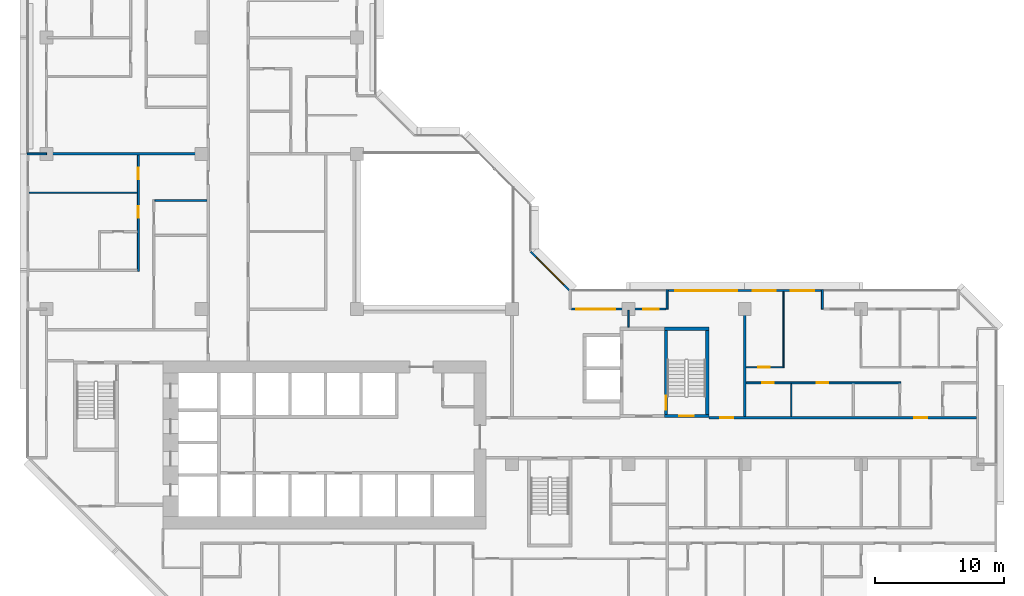
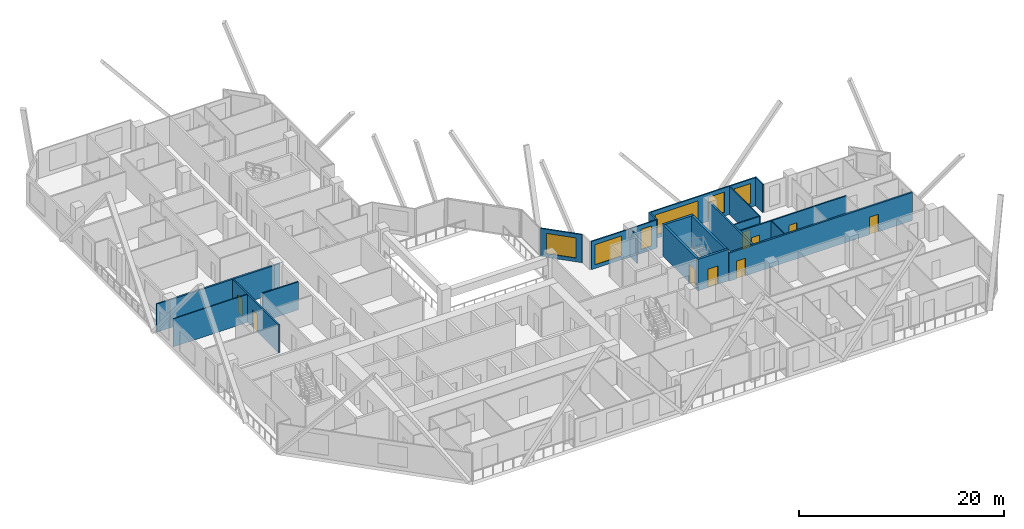
# One storey, part 8 of 15: 21 walls, 9 doors, 6 windows, 15 openings.
"""IFC4 building model written with IfcOpenShell, lengths in metres."""

from ifc_helpers import new_model, si_unit, direction, frame, frame_2d, origin, place, context, subcontext, project, spatial, rectangle, extrude, material, layer, layer_set, type_object, element, fill, save


model = new_model("IFC4")

# Units and contexts
model_context = context("Model", 3, precision=1e-05, world=origin(), true_north=direction((0.0, 1.0)))
body_context = subcontext(model_context, "Body", "Model", "MODEL_VIEW")
ifc_project = project(units=[si_unit("LENGTHUNIT", "METRE"), si_unit("AREAUNIT", "SQUARE_METRE"), si_unit("VOLUMEUNIT", "CUBIC_METRE"), si_unit("PLANEANGLEUNIT", "RADIAN"), si_unit("MASSUNIT", "GRAM", prefix="KILO")], contexts=[model_context])

# Site, building, storey
site_placement = place(None, origin())
site = spatial("IfcSite", under=ifc_project, at=site_placement, CompositionType="ELEMENT")
building_placement = place(site_placement, origin())
building = spatial("IfcBuilding", under=site, at=building_placement, Name="Chenar Terraces", CompositionType="ELEMENT")
storey_placement = place(building_placement, frame((0.0, 0.0, 129.39990234375)))
storey = spatial("IfcBuildingStorey", under=building, at=storey_placement, Name="L30", CompositionType="ELEMENT", Elevation=129.39990234375)

# Wall, opening, door
ifc_material_1 = material(Name="Concrete C70/85", Category="concrete")
ifc_layer_1 = layer(ifc_material_1, 0.25)
ifc_layer_set_1 = layer_set([ifc_layer_1], Name="Concrete C70/85")
wall_type_1 = type_object("IfcWallType", Name="Core wall 250 Concrete C70/85", PredefinedType="SHEAR", material=ifc_layer_set_1)
wall_1_placement = place(storey_placement, frame((47.77490234375, 15.72509765625, 0.0), z_axis=(0.0, 0.0, 1.0), x_axis=(1.0, 0.0, 0.0)))
wall_1 = element("IfcWall", 1, at=wall_1_placement, inside=storey, type_object=wall_type_1, Name="Core wall ST3_S L30", PredefinedType="SHEAR", context=body_context, shape_type="SweptSolid", body=[
    extrude(rectangle(XDim=3.4501953125, YDim=0.25, at=frame_2d((1.72509765625, 0.0))), origin(), (0.0, 0.0, 1.0), 3.75),
])
opening_1_placement = place(wall_1_placement, frame((1.175048828125, 0.0, 0.0)))
opening_1 = element("IfcOpeningElement", 2, at=opening_1_placement, cuts=wall_1, Name="Opening DL30-C8", PredefinedType="OPENING", context=body_context, shape_type="SweptSolid", body=[
    extrude(rectangle(XDim=1.10009765625, YDim=2.199951171875, at=frame_2d((0.550048828125, 1.10009765625))), frame((0.0, 0.135009765625, 0.0), z_axis=(0.0, -1.0, 0.0), x_axis=(1.0, 0.0, 0.0)), (0.0, 0.0, 1.0), 0.27001953125),
])
ifc_material_2 = material(Name="Steel-framed fire-resisting door leaf", Category="steel")
door_type_1 = type_object("IfcDoorType", Name="Stair fire door FD60 1100 x 2200", OperationType="SINGLE_SWING_LEFT", PredefinedType="DOOR", material=ifc_material_2)
door_1_placement = place(opening_1_placement, frame((1.10009765625, 0.0, 0.0), z_axis=(0.0, 0.0, 1.0), x_axis=(-1.0, 0.0, 0.0)))
door_1 = element("IfcDoor", 3, at=door_1_placement, inside=storey, type_object=door_type_1, Name="Stair door DL30-C8", OperationType="SINGLE_SWING_LEFT", OverallHeight=2.199951171875, OverallWidth=1.10009765625, PredefinedType="DOOR", context=body_context, shape_type="SweptSolid", body=[
    extrude(rectangle(XDim=1.10009765625, YDim=2.199951171875, at=frame_2d((0.550048828125, 1.10009765625))), frame((0.0, 0.02490234375, 0.0), z_axis=(0.0, -1.0, 0.0), x_axis=(1.0, 0.0, 0.0)), (0.0, 0.0, 1.0), 0.050048828125),
])
fill(opening_1, door_1)

# Wall
wall_2_placement = place(storey_placement, frame((47.77490234375, 22.47509765625, 0.0), z_axis=(0.0, 0.0, 1.0), x_axis=(1.0, 0.0, 0.0)))
element("IfcWall", 4, at=wall_2_placement, inside=storey, type_object=wall_type_1, Name="Core wall ST3_N L30", PredefinedType="SHEAR", context=body_context, shape_type="SweptSolid", body=[
    extrude(rectangle(XDim=3.4501953125, YDim=0.25, at=frame_2d((1.72509765625, 0.0))), origin(), (0.0, 0.0, 1.0), 3.75),
])

# Wall, opening, door
wall_3_placement = place(storey_placement, frame((47.89990234375, 15.85009765625, 0.0), z_axis=(0.0, 0.0, 1.0), x_axis=(0.0, 1.0, 0.0)))
wall_3 = element("IfcWall", 5, at=wall_3_placement, inside=storey, type_object=wall_type_1, Name="Core wall ST3_W L30", PredefinedType="SHEAR", context=body_context, shape_type="SweptSolid", body=[
    extrude(rectangle(XDim=6.5, YDim=0.25, at=frame_2d((3.25, 0.0))), origin(), (0.0, 0.0, 1.0), 3.75),
])
opening_2_placement = place(wall_3_placement, frame((0.35009765625, 0.0, 0.0)))
opening_2 = element("IfcOpeningElement", 6, at=opening_2_placement, cuts=wall_3, Name="Opening DL30-C11", PredefinedType="OPENING", context=body_context, shape_type="SweptSolid", body=[
    extrude(rectangle(XDim=1.10009765625, YDim=2.199951171875, at=frame_2d((0.550048828125, 1.10009765625))), frame((0.0, 0.135009765625, 0.0), z_axis=(0.0, -1.0, 0.0), x_axis=(1.0, 0.0, 0.0)), (0.0, 0.0, 1.0), 0.27001953125),
])
door_2_placement = place(opening_2_placement, frame((1.10009765625, 0.0, 0.0), z_axis=(0.0, 0.0, 1.0), x_axis=(-1.0, 0.0, 0.0)))
door_2 = element("IfcDoor", 7, at=door_2_placement, inside=storey, type_object=door_type_1, Name="Stair door DL30-C11", OperationType="SINGLE_SWING_RIGHT", OverallHeight=2.199951171875, OverallWidth=1.10009765625, PredefinedType="DOOR", context=body_context, shape_type="SweptSolid", body=[
    extrude(rectangle(XDim=1.10009765625, YDim=2.199951171875, at=frame_2d((0.550048828125, 1.10009765625))), frame((0.0, 0.02490234375, 0.0), z_axis=(0.0, -1.0, 0.0), x_axis=(1.0, 0.0, 0.0)), (0.0, 0.0, 1.0), 0.050048828125),
])
fill(opening_2, door_2)

# Wall
wall_4_placement = place(storey_placement, frame((51.10009765625, 15.85009765625, 0.0), z_axis=(0.0, 0.0, 1.0), x_axis=(0.0, 1.0, 0.0)))
element("IfcWall", 8, at=wall_4_placement, inside=storey, type_object=wall_type_1, Name="Core wall ST3_E L30", PredefinedType="SHEAR", context=body_context, shape_type="SweptSolid", body=[
    extrude(rectangle(XDim=6.5, YDim=0.25, at=frame_2d((3.25, 0.0))), origin(), (0.0, 0.0, 1.0), 3.75),
])

# Wall, openings, doors
ifc_material_3 = material(Name="Gypsum board on steel studs with fire boards", Category="steel")
ifc_layer_2 = layer(ifc_material_3, 0.199951171875)
ifc_layer_set_2 = layer_set([ifc_layer_2], Name="Gypsum board on steel studs with fire boards")
wall_type_2 = type_object("IfcWallType", Name="Corridor wall 200", PredefinedType="PARTITIONING", material=ifc_layer_set_2)
wall_5_placement = place(storey_placement, frame((51.22509765625, 15.60009765625, 0.0), z_axis=(0.0, 0.0, 1.0), x_axis=(1.0, 0.0, 0.0)))
wall_5 = element("IfcWall", 9, at=wall_5_placement, inside=storey, type_object=wall_type_2, Name="Partition L30-079", PredefinedType="PARTITIONING", context=body_context, shape_type="SweptSolid", body=[
    extrude(rectangle(XDim=20.700927734375, YDim=0.199951171875, at=frame_2d((10.3505859375, 0.0))), origin(), (0.0, 0.0, 1.0), 3.35009765625),
])
opening_3_placement = place(wall_5_placement, frame((15.875, 0.0, 0.0)))
opening_3 = element("IfcOpeningElement", 10, at=opening_3_placement, cuts=wall_5, Name="Opening DL30-9", PredefinedType="OPENING", context=body_context, shape_type="SweptSolid", body=[
    extrude(rectangle(XDim=1.0, YDim=2.10009765625, at=frame_2d((0.5, 1.050048828125))), frame((0.0, 0.10986328125, 0.0), z_axis=(0.0, -1.0, 0.0), x_axis=(1.0, 0.0, 0.0)), (0.0, 0.0, 1.0), 0.219970703125),
])
opening_4_placement = place(wall_5_placement, frame((0.875, 0.0, 0.0)))
opening_4 = element("IfcOpeningElement", 11, at=opening_4_placement, cuts=wall_5, Name="Opening DL30-53", PredefinedType="OPENING", context=body_context, shape_type="SweptSolid", body=[
    extrude(rectangle(XDim=1.0, YDim=2.10009765625, at=frame_2d((0.5, 1.050048828125))), frame((0.0, 0.10986328125, 0.0), z_axis=(0.0, -1.0, 0.0), x_axis=(1.0, 0.0, 0.0)), (0.0, 0.0, 1.0), 0.219970703125),
])
ifc_material_4 = material(Name="Steel-framed fire-resisting door leaf", Category="steel")
door_type_2 = type_object("IfcDoorType", Name="Fire door FD30S 1000 x 2100", OperationType="SINGLE_SWING_LEFT", PredefinedType="DOOR", material=ifc_material_4)
door_3_placement = place(opening_3_placement, origin())
door_3 = element("IfcDoor", 12, at=door_3_placement, inside=storey, type_object=door_type_2, Name="Door DL30-9", OperationType="SINGLE_SWING_LEFT", OverallHeight=2.10009765625, OverallWidth=1.0, PredefinedType="DOOR", context=body_context, shape_type="SweptSolid", body=[
    extrude(rectangle(XDim=1.0, YDim=2.10009765625, at=frame_2d((0.5, 1.050048828125))), frame((0.0, 0.02490234375, 0.0), z_axis=(0.0, -1.0, 0.0), x_axis=(1.0, 0.0, 0.0)), (0.0, 0.0, 1.0), 0.050048828125),
])
fill(opening_3, door_3)
door_4_placement = place(opening_4_placement, origin())
door_4 = element("IfcDoor", 13, at=door_4_placement, inside=storey, type_object=door_type_2, Name="Door DL30-53", OperationType="SINGLE_SWING_RIGHT", OverallHeight=2.10009765625, OverallWidth=1.0, PredefinedType="DOOR", context=body_context, shape_type="SweptSolid", body=[
    extrude(rectangle(XDim=1.0, YDim=2.10009765625, at=frame_2d((0.5, 1.050048828125))), frame((0.0, 0.02490234375, 0.0), z_axis=(0.0, -1.0, 0.0), x_axis=(1.0, 0.0, 0.0)), (0.0, 0.0, 1.0), 0.050048828125),
])
fill(opening_4, door_4)

# Wall, openings, windows
ifc_material_5 = material(Name="Aluminium framed glazing", Category="aluminium")
ifc_layer_3 = layer(ifc_material_5, 0.14990234375)
ifc_layer_set_3 = layer_set([ifc_layer_3], Name="Aluminium framed glazing")
wall_type_3 = type_object("IfcWallType", Name="Glazed flush facade wall 150", PredefinedType="SOLIDWALL", material=ifc_layer_set_3)
wall_6_placement = place(storey_placement, frame((59.925048828125, 25.425048828125, 0.0), z_axis=(0.0, 0.0, 1.0), x_axis=(-1.0, 0.0, 0.0)))
wall_6 = element("IfcWall", 14, at=wall_6_placement, inside=storey, type_object=wall_type_3, Name="Glazed flush facade wall", PredefinedType="SOLIDWALL", context=body_context, shape_type="SweptSolid", body=[
    extrude(rectangle(XDim=11.85009765625, YDim=0.14990234375, at=frame_2d((5.925048828125, 0.0))), origin(), (0.0, 0.0, 1.0), 3.35009765625),
])
opening_5_placement = place(wall_6_placement, frame((0.5625, 0.0, 0.449951171875)))
opening_5 = element("IfcOpeningElement", 15, at=opening_5_placement, cuts=wall_6, Name="Opening W180x240", PredefinedType="OPENING", context=body_context, shape_type="SweptSolid", body=[
    extrude(rectangle(XDim=1.800048828125, YDim=2.39990234375, at=frame_2d((0.89990234375, 1.199951171875))), frame((0.0, 0.0849609375, 0.0), z_axis=(0.0, -1.0, 0.0), x_axis=(1.0, 0.0, 0.0)), (0.0, 0.0, 1.0), 0.169921875),
])
opening_6_placement = place(wall_6_placement, frame((3.52490234375, 0.0, 0.449951171875)))
opening_6 = element("IfcOpeningElement", 16, at=opening_6_placement, cuts=wall_6, Name="Opening W180x240", PredefinedType="OPENING", context=body_context, shape_type="SweptSolid", body=[
    extrude(rectangle(XDim=1.800048828125, YDim=2.39990234375, at=frame_2d((0.89990234375, 1.199951171875))), frame((0.0, 0.0849609375, 0.0), z_axis=(0.0, -1.0, 0.0), x_axis=(1.0, 0.0, 0.0)), (0.0, 0.0, 1.0), 0.169921875),
])
opening_7_placement = place(wall_6_placement, frame((6.487548828125, 0.0, 0.449951171875)))
opening_7 = element("IfcOpeningElement", 17, at=opening_7_placement, cuts=wall_6, Name="Opening W480x240", PredefinedType="OPENING", context=body_context, shape_type="SweptSolid", body=[
    extrude(rectangle(XDim=4.800048828125, YDim=2.39990234375, at=frame_2d((2.39990234375, 1.199951171875))), frame((0.0, 0.0849609375, 0.0), z_axis=(0.0, -1.0, 0.0), x_axis=(1.0, 0.0, 0.0)), (0.0, 0.0, 1.0), 0.169921875),
])
ifc_material_6 = material(Name="Low emissivity double glazing, aluminium frame", Category="aluminium")
window_type_1 = type_object("IfcWindowType", Name="Fixed light 1800 x 2400", PartitioningType="SINGLE_PANEL", PredefinedType="WINDOW", material=ifc_material_6)
window_1_placement = place(opening_5_placement, origin())
window_1 = element("IfcWindow", 18, at=window_1_placement, inside=storey, type_object=window_type_1, Name="Window", OverallHeight=2.39990234375, OverallWidth=1.800048828125, PartitioningType="SINGLE_PANEL", PredefinedType="WINDOW", context=body_context, shape_type="SweptSolid", body=[
    extrude(rectangle(XDim=1.800048828125, YDim=2.39990234375, at=frame_2d((0.89990234375, 1.199951171875))), frame((0.0, 0.030029296875, 0.0), z_axis=(0.0, -1.0, 0.0), x_axis=(1.0, 0.0, 0.0)), (0.0, 0.0, 1.0), 0.06005859375),
])
fill(opening_5, window_1)
window_2_placement = place(opening_6_placement, origin())
window_2 = element("IfcWindow", 19, at=window_2_placement, inside=storey, type_object=window_type_1, Name="Window", OverallHeight=2.39990234375, OverallWidth=1.800048828125, PartitioningType="SINGLE_PANEL", PredefinedType="WINDOW", context=body_context, shape_type="SweptSolid", body=[
    extrude(rectangle(XDim=1.800048828125, YDim=2.39990234375, at=frame_2d((0.89990234375, 1.199951171875))), frame((0.0, 0.030029296875, 0.0), z_axis=(0.0, -1.0, 0.0), x_axis=(1.0, 0.0, 0.0)), (0.0, 0.0, 1.0), 0.06005859375),
])
fill(opening_6, window_2)
ifc_material_7 = material(Name="Low emissivity double glazing, aluminium frame", Category="aluminium")
window_type_2 = type_object("IfcWindowType", Name="Fixed light 4800 x 2400", PartitioningType="SINGLE_PANEL", PredefinedType="WINDOW", material=ifc_material_7)
window_3_placement = place(opening_7_placement, origin())
window_3 = element("IfcWindow", 20, at=window_3_placement, inside=storey, type_object=window_type_2, Name="Window", OverallHeight=2.39990234375, OverallWidth=4.800048828125, PartitioningType="SINGLE_PANEL", PredefinedType="WINDOW", context=body_context, shape_type="SweptSolid", body=[
    extrude(rectangle(XDim=4.800048828125, YDim=2.39990234375, at=frame_2d((2.39990234375, 1.199951171875))), frame((0.0, 0.030029296875, 0.0), z_axis=(0.0, -1.0, 0.0), x_axis=(1.0, 0.0, 0.0)), (0.0, 0.0, 1.0), 0.06005859375),
])
fill(opening_7, window_3)

ifc_material_8 = material(Name="Aluminium framed glazing", Category="aluminium")
ifc_layer_4 = layer(ifc_material_8, 0.14990234375)
ifc_layer_set_4 = layer_set([ifc_layer_4], Name="Aluminium framed glazing")
wall_type_4 = type_object("IfcWallType", Name="Glazed loggia back wall 150", PredefinedType="SOLIDWALL", material=ifc_layer_set_4)
wall_7_placement = place(storey_placement, frame((47.925048828125, 24.0, 0.0), z_axis=(0.0, 0.0, 1.0), x_axis=(-1.0, 0.0, 0.0)))
wall_7 = element("IfcWall", 21, at=wall_7_placement, inside=storey, type_object=wall_type_4, Name="Glazed loggia back wall", PredefinedType="SOLIDWALL", context=body_context, shape_type="SweptSolid", body=[
    extrude(rectangle(XDim=7.35009765625, YDim=0.14990234375, at=frame_2d((3.675048828125, 0.0))), origin(), (0.0, 0.0, 1.0), 3.35009765625),
])
opening_8_placement = place(wall_7_placement, frame((0.5625, 0.0, 0.449951171875)))
opening_8 = element("IfcOpeningElement", 22, at=opening_8_placement, cuts=wall_7, Name="Opening W120x240", PredefinedType="OPENING", context=body_context, shape_type="SweptSolid", body=[
    extrude(rectangle(XDim=1.199951171875, YDim=2.39990234375, at=frame_2d((0.60009765625, 1.199951171875))), frame((0.0, 0.0849609375, 0.0), z_axis=(0.0, -1.0, 0.0), x_axis=(1.0, 0.0, 0.0)), (0.0, 0.0, 1.0), 0.169921875),
])
opening_9_placement = place(wall_7_placement, frame((3.9375, 0.0, 0.449951171875)))
opening_9 = element("IfcOpeningElement", 23, at=opening_9_placement, cuts=wall_7, Name="Opening W300x240", PredefinedType="OPENING", context=body_context, shape_type="SweptSolid", body=[
    extrude(rectangle(XDim=3.0, YDim=2.39990234375, at=frame_2d((1.5, 1.199951171875))), frame((0.0, 0.0849609375, 0.0), z_axis=(0.0, -1.0, 0.0), x_axis=(1.0, 0.0, 0.0)), (0.0, 0.0, 1.0), 0.169921875),
])
ifc_material_9 = material(Name="Low emissivity double glazing, aluminium frame", Category="aluminium")
window_type_3 = type_object("IfcWindowType", Name="Fixed light 1200 x 2400", PartitioningType="SINGLE_PANEL", PredefinedType="WINDOW", material=ifc_material_9)
window_4_placement = place(opening_8_placement, origin())
window_4 = element("IfcWindow", 24, at=window_4_placement, inside=storey, type_object=window_type_3, Name="Window", OverallHeight=2.39990234375, OverallWidth=1.199951171875, PartitioningType="SINGLE_PANEL", PredefinedType="WINDOW", context=body_context, shape_type="SweptSolid", body=[
    extrude(rectangle(XDim=1.199951171875, YDim=2.39990234375, at=frame_2d((0.60009765625, 1.199951171875))), frame((0.0, 0.030029296875, 0.0), z_axis=(0.0, -1.0, 0.0), x_axis=(1.0, 0.0, 0.0)), (0.0, 0.0, 1.0), 0.06005859375),
])
fill(opening_8, window_4)
ifc_material_10 = material(Name="Low emissivity double glazing, aluminium frame", Category="aluminium")
window_type_4 = type_object("IfcWindowType", Name="Fixed light 3000 x 2400", PartitioningType="SINGLE_PANEL", PredefinedType="WINDOW", material=ifc_material_10)
window_5_placement = place(opening_9_placement, origin())
window_5 = element("IfcWindow", 25, at=window_5_placement, inside=storey, type_object=window_type_4, Name="Window", OverallHeight=2.39990234375, OverallWidth=3.0, PartitioningType="SINGLE_PANEL", PredefinedType="WINDOW", context=body_context, shape_type="SweptSolid", body=[
    extrude(rectangle(XDim=3.0, YDim=2.39990234375, at=frame_2d((1.5, 1.199951171875))), frame((0.0, 0.030029296875, 0.0), z_axis=(0.0, -1.0, 0.0), x_axis=(1.0, 0.0, 0.0)), (0.0, 0.0, 1.0), 0.06005859375),
])
fill(opening_9, window_5)

# Walls
ifc_material_11 = material(Name="Gypsum board on steel studs", Category="steel")
ifc_layer_5 = layer(ifc_material_11, 0.10009765625)
ifc_layer_set_5 = layer_set([ifc_layer_5], Name="Gypsum board on steel studs")
wall_type_5 = type_object("IfcWallType", Name="Gypsum partition 100", PredefinedType="PARTITIONING", material=ifc_layer_set_5)
wall_8_placement = place(storey_placement, frame((-1.35107421875, 33.0, 0.0), z_axis=(0.0, 0.0, 1.0), x_axis=(1.0, 0.0, 0.0)))
element("IfcWall", 26, at=wall_8_placement, inside=storey, type_object=wall_type_5, Name="Partition L30-001", PredefinedType="PARTITIONING", context=body_context, shape_type="SweptSolid", body=[
    extrude(rectangle(XDim=8.3759765625, YDim=0.10009765625, at=frame_2d((4.18798828125, 0.0))), origin(), (0.0, 0.0, 1.0), 3.35009765625),
])
wall_9_placement = place(storey_placement, frame((45.0, 22.60009765625, 0.0), z_axis=(0.0, 0.0, 1.0), x_axis=(0.0, 1.0, 0.0)))
element("IfcWall", 27, at=wall_9_placement, inside=storey, type_object=wall_type_5, Name="Partition L30-071", PredefinedType="PARTITIONING", context=body_context, shape_type="SweptSolid", body=[
    extrude(rectangle(XDim=1.325927734375, YDim=0.10009765625, at=frame_2d((0.6630859375, 0.0))), origin(), (0.0, 0.0, 1.0), 3.35009765625),
])

# Wall, opening, door
wall_10_placement = place(storey_placement, frame((54.10009765625, 19.5, 0.0), z_axis=(0.0, 0.0, 1.0), x_axis=(1.0, 0.0, 0.0)))
wall_10 = element("IfcWall", 28, at=wall_10_placement, inside=storey, type_object=wall_type_5, Name="Partition L30-084", PredefinedType="PARTITIONING", context=body_context, shape_type="SweptSolid", body=[
    extrude(rectangle(XDim=2.849853515625, YDim=0.10009765625, at=frame_2d((1.4248046875, 0.0))), origin(), (0.0, 0.0, 1.0), 3.35009765625),
])
opening_10_placement = place(wall_10_placement, frame((0.949951171875, 0.0, 0.0)))
opening_10 = element("IfcOpeningElement", 29, at=opening_10_placement, cuts=wall_10, Name="Opening DL30-12", PredefinedType="OPENING", context=body_context, shape_type="SweptSolid", body=[
    extrude(rectangle(XDim=0.89990234375, YDim=2.10009765625, at=frame_2d((0.449951171875, 1.050048828125))), frame((0.0, 0.06005859375, 0.0), z_axis=(0.0, -1.0, 0.0), x_axis=(1.0, 0.0, 0.0)), (0.0, 0.0, 1.0), 0.1201171875),
])
ifc_material_12 = material(Name="Veneered timber door leaf", Category="wood")
door_type_3 = type_object("IfcDoorType", Name="Door 900 x 2100", OperationType="SINGLE_SWING_LEFT", PredefinedType="DOOR", material=ifc_material_12)
door_5_placement = place(opening_10_placement, origin())
door_5 = element("IfcDoor", 30, at=door_5_placement, inside=storey, type_object=door_type_3, Name="Door DL30-12", OperationType="SINGLE_SWING_RIGHT", OverallHeight=2.10009765625, OverallWidth=0.89990234375, PredefinedType="DOOR", context=body_context, shape_type="SweptSolid", body=[
    extrude(rectangle(XDim=0.89990234375, YDim=2.10009765625, at=frame_2d((0.449951171875, 1.050048828125))), frame((0.0, 0.02490234375, 0.0), z_axis=(0.0, -1.0, 0.0), x_axis=(1.0, 0.0, 0.0)), (0.0, 0.0, 1.0), 0.050048828125),
])
fill(opening_10, door_5)

# Walls
wall_11_placement = place(storey_placement, frame((57.0, 19.449951171875, 0.0), z_axis=(0.0, 0.0, 1.0), x_axis=(0.0, 1.0, 0.0)))
element("IfcWall", 31, at=wall_11_placement, inside=storey, type_object=wall_type_5, Name="Partition L30-086", PredefinedType="PARTITIONING", context=body_context, shape_type="SweptSolid", body=[
    extrude(rectangle(XDim=5.900146484375, YDim=0.10009765625, at=frame_2d((2.9501953125, 0.0))), origin(), (0.0, 0.0, 1.0), 3.35009765625),
])
wall_12_placement = place(storey_placement, frame((57.60009765625, 15.699951171875, 0.0), z_axis=(0.0, 0.0, 1.0), x_axis=(0.0, 1.0, 0.0)))
element("IfcWall", 32, at=wall_12_placement, inside=storey, type_object=wall_type_5, Name="Partition L30-088", PredefinedType="PARTITIONING", context=body_context, shape_type="SweptSolid", body=[
    extrude(rectangle(XDim=2.525146484375, YDim=0.10009765625, at=frame_2d((1.2626953125, 0.0))), origin(), (0.0, 0.0, 1.0), 3.35009765625),
])
ifc_material_13 = material(Name="Terracotta cladding on insulated backing", Category="masonry")
ifc_layer_6 = layer(ifc_material_13, 0.14990234375)
ifc_layer_set_6 = layer_set([ifc_layer_6], Name="Terracotta cladding on insulated backing")
wall_type_6 = type_object("IfcWallType", Name="Loggia return wall 150", PredefinedType="SOLIDWALL", material=ifc_layer_set_6)
for number, where, z_axis, x_axis, name in (
    (33, (60.0, 25.5, 0.0), (0.0, 0.0, 1.0), (0.0, -1.0, 0.0), "Loggia return wall"),
    (34, (48.0, 25.5, 0.0), (0.0, 0.0, 1.0), (0.0, -1.0, 0.0), "Loggia return wall"),
    (35, (-1.5, 36.0, 0.0), (0.0, 0.0, 1.0), (1.0, 0.0, 0.0), "Loggia return wall"),
):
    element("IfcWall", number, at=place(storey_placement, frame(where, z_axis=z_axis, x_axis=x_axis)), inside=storey, type_object=wall_type_6, Name=name, PredefinedType="SOLIDWALL", context=body_context, shape_type="SweptSolid", body=[
        extrude(rectangle(XDim=1.5, YDim=0.14990234375, at=frame_2d((0.75, 0.0))), origin(), (0.0, 0.0, 1.0), 3.35009765625),
    ])

# Wall, opening, window
ifc_material_14 = material(Name="Terracotta cladding on insulated backing", Category="masonry")
ifc_layer_7 = layer(ifc_material_14, 0.14990234375)
ifc_layer_set_7 = layer_set([ifc_layer_7], Name="Terracotta cladding on insulated backing")
wall_type_7 = type_object("IfcWallType", Name="Terracotta rainscreen wall 150", PredefinedType="SOLIDWALL", material=ifc_layer_set_7)
wall_13_placement = place(storey_placement, frame((40.447021484375, 25.447021484375, 0.0), z_axis=(0.0, 0.0, 1.0), x_axis=(-0.707106781187, 0.707106781187, 0.0)))
wall_13 = element("IfcWall", 36, at=wall_13_placement, inside=storey, type_object=wall_type_7, Name="Terracotta rainscreen wall", PredefinedType="SOLIDWALL", context=body_context, shape_type="SweptSolid", body=[
    extrude(rectangle(XDim=4.24267578125, YDim=0.14990234375, at=frame_2d((2.121337890625, 0.0))), origin(), (0.0, 0.0, 1.0), 3.35009765625),
])
opening_11_placement = place(wall_13_placement, frame((0.621337890625, 0.0, 0.449951171875)))
opening_11 = element("IfcOpeningElement", 37, at=opening_11_placement, cuts=wall_13, Name="Opening W300x240", PredefinedType="OPENING", context=body_context, shape_type="SweptSolid", body=[
    extrude(rectangle(XDim=3.0, YDim=2.39990234375, at=frame_2d((1.5, 1.199951171875))), frame((0.0, 0.0849609375, 0.0), z_axis=(0.0, -1.0, 0.0), x_axis=(1.0, 0.0, 0.0)), (0.0, 0.0, 1.0), 0.169921875),
])
window_6_placement = place(opening_11_placement, origin())
window_6 = element("IfcWindow", 38, at=window_6_placement, inside=storey, type_object=window_type_4, Name="Window", OverallHeight=2.39990234375, OverallWidth=3.0, PartitioningType="SINGLE_PANEL", PredefinedType="WINDOW", context=body_context, shape_type="SweptSolid", body=[
    extrude(rectangle(XDim=3.0, YDim=2.39990234375, at=frame_2d((1.5, 1.199951171875))), frame((0.0, 0.030029296875, 0.0), z_axis=(0.0, -1.0, 0.0), x_axis=(1.0, 0.0, 0.0)), (0.0, 0.0, 1.0), 0.06005859375),
])
fill(opening_11, window_6)

# Walls
ifc_material_15 = material(Name="Twin gypsum board on steel studs with mineral wool", Category="steel")
ifc_layer_8 = layer(ifc_material_15, 0.199951171875)
ifc_layer_set_8 = layer_set([ifc_layer_8], Name="Twin gypsum board on steel studs with mineral wool")
wall_type_8 = type_object("IfcWallType", Name="Unit demising wall 200", PredefinedType="PARTITIONING", material=ifc_layer_set_8)
wall_14_placement = place(storey_placement, frame((0.0, 36.0, 0.0), z_axis=(0.0, 0.0, 1.0), x_axis=(1.0, 0.0, 0.0)))
element("IfcWall", 39, at=wall_14_placement, inside=storey, type_object=wall_type_8, Name="Partition L30-003", PredefinedType="PARTITIONING", context=body_context, shape_type="SweptSolid", body=[
    extrude(rectangle(XDim=12.39990234375, YDim=0.199951171875, at=frame_2d((6.199951171875, 0.0))), origin(), (0.0, 0.0, 1.0), 3.35009765625),
])
wall_15_placement = place(storey_placement, frame((54.0, 15.699951171875, 0.0), z_axis=(0.0, 0.0, 1.0), x_axis=(0.0, 1.0, 0.0)))
element("IfcWall", 40, at=wall_15_placement, inside=storey, type_object=wall_type_8, Name="Partition L30-082", PredefinedType="PARTITIONING", context=body_context, shape_type="SweptSolid", body=[
    extrude(rectangle(XDim=8.300048828125, YDim=0.199951171875, at=frame_2d((4.14990234375, 0.0))), origin(), (0.0, 0.0, 1.0), 3.35009765625),
])

# Wall, openings, doors
ifc_material_16 = material(Name="Moisture-resistant gypsum board on steel studs", Category="steel")
ifc_layer_9 = layer(ifc_material_16, 0.14990234375)
ifc_layer_set_9 = layer_set([ifc_layer_9], Name="Moisture-resistant gypsum board on steel studs")
wall_type_9 = type_object("IfcWallType", Name="Wet-room partition 150", PredefinedType="PARTITIONING", material=ifc_layer_set_9)
wall_16_placement = place(storey_placement, frame((7.10009765625, 26.925048828125, 0.0), z_axis=(0.0, 0.0, 1.0), x_axis=(0.0, 1.0, 0.0)))
wall_16 = element("IfcWall", 41, at=wall_16_placement, inside=storey, type_object=wall_type_9, Name="Partition L30-018", PredefinedType="PARTITIONING", context=body_context, shape_type="SweptSolid", body=[
    extrude(rectangle(XDim=8.974853515625, YDim=0.14990234375, at=frame_2d((4.4873046875, 0.0))), origin(), (0.0, 0.0, 1.0), 3.35009765625),
])
opening_12_placement = place(wall_16_placement, frame((7.125, 0.0, 0.0)))
opening_12 = element("IfcOpeningElement", 42, at=opening_12_placement, cuts=wall_16, Name="Opening DL30-69", PredefinedType="OPENING", context=body_context, shape_type="SweptSolid", body=[
    extrude(rectangle(XDim=0.89990234375, YDim=2.10009765625, at=frame_2d((0.449951171875, 1.050048828125))), frame((0.0, 0.0849609375, 0.0), z_axis=(0.0, -1.0, 0.0), x_axis=(1.0, 0.0, 0.0)), (0.0, 0.0, 1.0), 0.169921875),
])
opening_13_placement = place(wall_16_placement, frame((4.125, 0.0, 0.0)))
opening_13 = element("IfcOpeningElement", 43, at=opening_13_placement, cuts=wall_16, Name="Opening DL30-70", PredefinedType="OPENING", context=body_context, shape_type="SweptSolid", body=[
    extrude(rectangle(XDim=0.89990234375, YDim=2.10009765625, at=frame_2d((0.449951171875, 1.050048828125))), frame((0.0, 0.0849609375, 0.0), z_axis=(0.0, -1.0, 0.0), x_axis=(1.0, 0.0, 0.0)), (0.0, 0.0, 1.0), 0.169921875),
])
door_6_placement = place(opening_12_placement, origin())
door_6 = element("IfcDoor", 44, at=door_6_placement, inside=storey, type_object=door_type_3, Name="Door DL30-69", OperationType="SINGLE_SWING_RIGHT", OverallHeight=2.10009765625, OverallWidth=0.89990234375, PredefinedType="DOOR", context=body_context, shape_type="SweptSolid", body=[
    extrude(rectangle(XDim=0.89990234375, YDim=2.10009765625, at=frame_2d((0.449951171875, 1.050048828125))), frame((0.0, 0.02490234375, 0.0), z_axis=(0.0, -1.0, 0.0), x_axis=(1.0, 0.0, 0.0)), (0.0, 0.0, 1.0), 0.050048828125),
])
fill(opening_12, door_6)
door_7_placement = place(opening_13_placement, origin())
door_7 = element("IfcDoor", 45, at=door_7_placement, inside=storey, type_object=door_type_3, Name="Door DL30-70", OperationType="SINGLE_SWING_LEFT", OverallHeight=2.10009765625, OverallWidth=0.89990234375, PredefinedType="DOOR", context=body_context, shape_type="SweptSolid", body=[
    extrude(rectangle(XDim=0.89990234375, YDim=2.10009765625, at=frame_2d((0.449951171875, 1.050048828125))), frame((0.0, 0.02490234375, 0.0), z_axis=(0.0, -1.0, 0.0), x_axis=(1.0, 0.0, 0.0)), (0.0, 0.0, 1.0), 0.050048828125),
])
fill(opening_13, door_7)

# Wall
wall_17_placement = place(storey_placement, frame((8.375, 32.39990234375, 0.0), z_axis=(0.0, 0.0, 1.0), x_axis=(1.0, 0.0, 0.0)))
element("IfcWall", 46, at=wall_17_placement, inside=storey, type_object=wall_type_9, Name="Partition L30-027", PredefinedType="PARTITIONING", context=body_context, shape_type="SweptSolid", body=[
    extrude(rectangle(XDim=4.02490234375, YDim=0.14990234375, at=frame_2d((2.012451171875, 0.0))), origin(), (0.0, 0.0, 1.0), 3.35009765625),
])

# Wall, openings, doors
wall_18_placement = place(storey_placement, frame((54.10009765625, 18.300048828125, 0.0), z_axis=(0.0, 0.0, 1.0), x_axis=(1.0, 0.0, 0.0)))
wall_18 = element("IfcWall", 47, at=wall_18_placement, inside=storey, type_object=wall_type_9, Name="Partition L30-083", PredefinedType="PARTITIONING", context=body_context, shape_type="SweptSolid", body=[
    extrude(rectangle(XDim=11.974853515625, YDim=0.14990234375, at=frame_2d((5.9873046875, 0.0))), origin(), (0.0, 0.0, 1.0), 3.35009765625),
])
opening_14_placement = place(wall_18_placement, frame((5.449951171875, 0.0, 0.0)))
opening_14 = element("IfcOpeningElement", 48, at=opening_14_placement, cuts=wall_18, Name="Opening DL30-7", PredefinedType="OPENING", context=body_context, shape_type="SweptSolid", body=[
    extrude(rectangle(XDim=0.89990234375, YDim=2.10009765625, at=frame_2d((0.449951171875, 1.050048828125))), frame((0.0, 0.0849609375, 0.0), z_axis=(0.0, -1.0, 0.0), x_axis=(1.0, 0.0, 0.0)), (0.0, 0.0, 1.0), 0.169921875),
])
opening_15_placement = place(wall_18_placement, frame((1.25, 0.0, 0.0)))
opening_15 = element("IfcOpeningElement", 49, at=opening_15_placement, cuts=wall_18, Name="Opening DL30-11", PredefinedType="OPENING", context=body_context, shape_type="SweptSolid", body=[
    extrude(rectangle(XDim=0.89990234375, YDim=2.10009765625, at=frame_2d((0.449951171875, 1.050048828125))), frame((0.0, 0.0849609375, 0.0), z_axis=(0.0, -1.0, 0.0), x_axis=(1.0, 0.0, 0.0)), (0.0, 0.0, 1.0), 0.169921875),
])
door_8_placement = place(opening_14_placement, frame((0.89990234375, 0.0, 0.0), z_axis=(0.0, 0.0, 1.0), x_axis=(-1.0, 0.0, 0.0)))
door_8 = element("IfcDoor", 50, at=door_8_placement, inside=storey, type_object=door_type_3, Name="Door DL30-7", OperationType="SINGLE_SWING_LEFT", OverallHeight=2.10009765625, OverallWidth=0.89990234375, PredefinedType="DOOR", context=body_context, shape_type="SweptSolid", body=[
    extrude(rectangle(XDim=0.89990234375, YDim=2.10009765625, at=frame_2d((0.449951171875, 1.050048828125))), frame((0.0, 0.02490234375, 0.0), z_axis=(0.0, -1.0, 0.0), x_axis=(1.0, 0.0, 0.0)), (0.0, 0.0, 1.0), 0.050048828125),
])
fill(opening_14, door_8)
door_9_placement = place(opening_15_placement, frame((0.89990234375, 0.0, 0.0), z_axis=(0.0, 0.0, 1.0), x_axis=(-1.0, 0.0, 0.0)))
door_9 = element("IfcDoor", 51, at=door_9_placement, inside=storey, type_object=door_type_3, Name="Door DL30-11", OperationType="SINGLE_SWING_RIGHT", OverallHeight=2.10009765625, OverallWidth=0.89990234375, PredefinedType="DOOR", context=body_context, shape_type="SweptSolid", body=[
    extrude(rectangle(XDim=0.89990234375, YDim=2.10009765625, at=frame_2d((0.449951171875, 1.050048828125))), frame((0.0, 0.02490234375, 0.0), z_axis=(0.0, -1.0, 0.0), x_axis=(1.0, 0.0, 0.0)), (0.0, 0.0, 1.0), 0.050048828125),
])
fill(opening_15, door_9)

save(model, "model.ifc")
